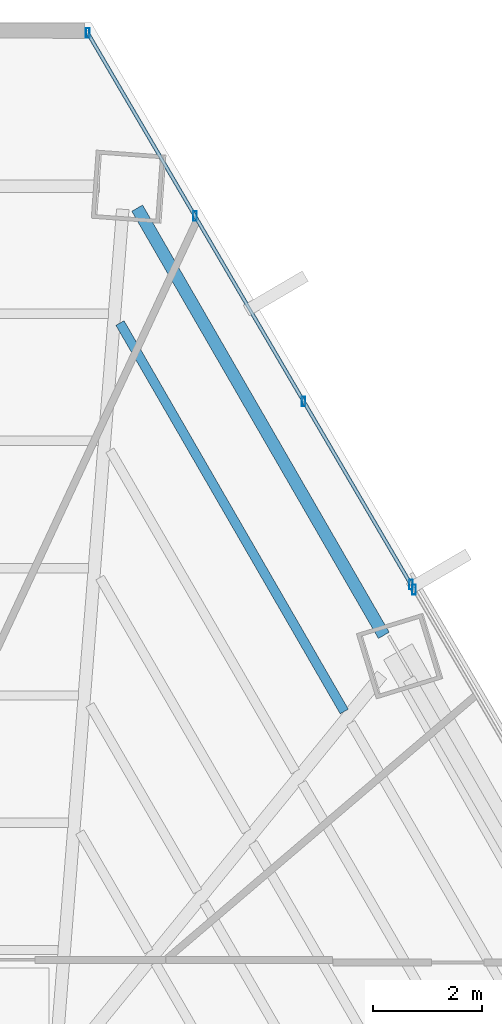
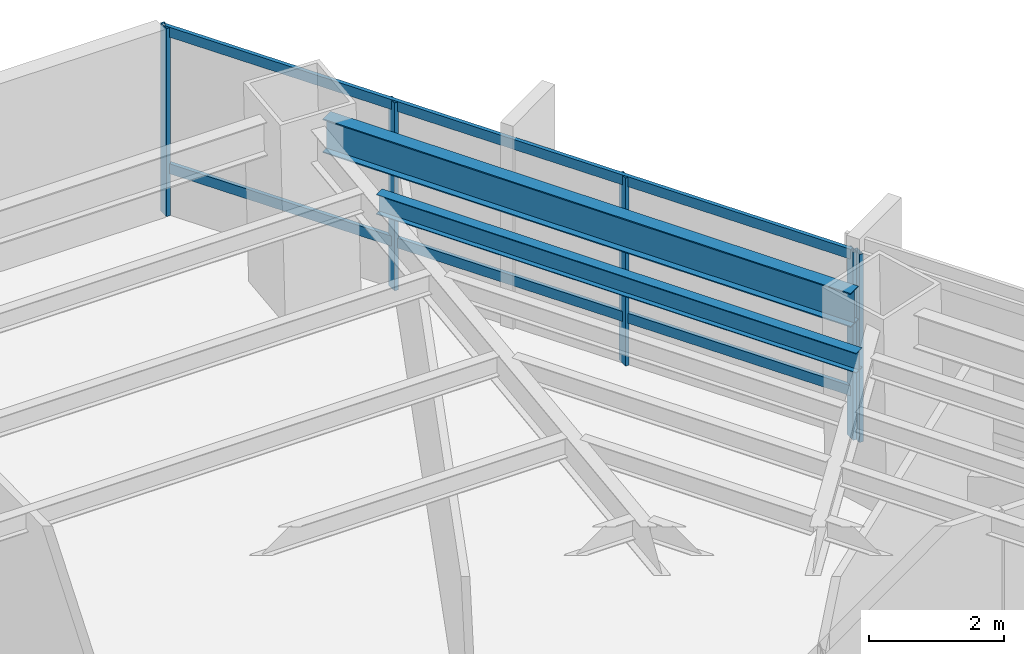
# One storey, part 30 of 37: 7 members, 2 beams, 2 elements without a shape of their own.
"""IFC4 building model written with IfcOpenShell, lengths in metres."""

import ifcopenshell
import ifcopenshell.guid

model = None  # the IFC model being written
_history = None  # IfcOwnerHistory: only IFC2X3 demands one
_inside = {}  # id of a spatial element -> (the spatial element, [elements in it])
_under = {}  # id of a project, library or spatial element -> (it, [spatial elements below it])
_declared = {}  # id of a project -> (the project, [libraries it declares])
_typed = {}  # id of a type object -> (the type object, [elements of that type])
_made_of = {}  # id of a material, layer set ... -> (it, [elements and type objects made of it])


def new_model(schema):
    """Start an empty IFC model of exactly this schema.

    Asked for "IFC4X3", IfcOpenShell would pick the latest addendum, in which some entities
    have other attributes; the version numbers below select the first issue.
    IFC2X3 requires an IfcOwnerHistory on every rooted entity: one is made here for all.
    """
    global model, _history
    if schema == "IFC4X3":
        model = ifcopenshell.file(schema_version=(4, 3, 0, 0))
    else:
        model = ifcopenshell.file(schema=schema)
    _inside.clear()
    _under.clear()
    _declared.clear()
    _typed.clear()
    _made_of.clear()
    _history = None
    if model.schema == "IFC2X3":
        org = make("IfcOrganization", Name="unknown")
        user = make(
            "IfcPersonAndOrganization",
            ThePerson=make("IfcPerson", FamilyName="unknown"),
            TheOrganization=org,
        )
        app = make(
            "IfcApplication",
            ApplicationDeveloper=org,
            Version="unknown",
            ApplicationFullName="unknown",
            ApplicationIdentifier="unknown",
        )
        _history = make(
            "IfcOwnerHistory",
            OwningUser=user,
            OwningApplication=app,
            ChangeAction="ADDED",
            CreationDate=0,
        )
    return model


def make(cls, **values):
    """One entity of the class cls with the attributes given. An attribute that is None is left unset."""
    return model.create_entity(
        cls, **{name: value for name, value in values.items() if value is not None}
    )


def rooted(cls, **values):
    """An entity with a GlobalId (a new one), such as an element, a storey or a relation."""
    return make(cls, GlobalId=ifcopenshell.guid.new(), OwnerHistory=_history, **values)


def si_unit(unit_type, name, prefix=None):
    """IfcSIUnit, for example si_unit("LENGTHUNIT", "METRE", prefix="MILLI")."""
    return make("IfcSIUnit", UnitType=unit_type, Prefix=prefix, Name=name)


def assignment(units):
    """IfcUnitAssignment: the units of a project."""
    return None if units is None else make("IfcUnitAssignment", Units=units)


def point(xyz):
    """IfcCartesianPoint."""
    return None if xyz is None else make("IfcCartesianPoint", Coordinates=xyz)


def direction(xyz):
    """IfcDirection."""
    return None if xyz is None else make("IfcDirection", DirectionRatios=xyz)


def frame(location, z_axis=None, x_axis=None):
    """IfcAxis2Placement3D, a coordinate frame: its origin and axes. An axis left out is left unset."""
    return make(
        "IfcAxis2Placement3D",
        Location=point(location),
        Axis=direction(z_axis),
        RefDirection=direction(x_axis),
    )


def frame_2d(location, x_axis=None):
    """IfcAxis2Placement2D, a coordinate frame in the plane: its origin and x axis."""
    return make(
        "IfcAxis2Placement2D", Location=point(location), RefDirection=direction(x_axis)
    )


def origin():
    """The frame at (0, 0, 0) with its axes left unset."""
    return frame((0.0, 0.0, 0.0))


def origin_2d():
    """The frame at (0, 0) in the plane with its x axis left unset."""
    return frame_2d((0.0, 0.0))


def place(relative_to, where):
    """IfcLocalPlacement: puts the frame where relative to a parent placement (None: the world)."""
    return make(
        "IfcLocalPlacement", PlacementRelTo=relative_to, RelativePlacement=where
    )


def context(
    kind, dimensions, precision=None, world=None, true_north=None, identifier=None
):
    """IfcGeometricRepresentationContext, for example the 3D "Model" context."""
    return make(
        "IfcGeometricRepresentationContext",
        ContextIdentifier=identifier,
        ContextType=kind,
        CoordinateSpaceDimension=dimensions,
        Precision=precision,
        WorldCoordinateSystem=world,
        TrueNorth=true_north,
    )


def subcontext(parent, identifier, kind, view, scale=None):
    """IfcGeometricRepresentationSubContext, for example "Body" below "Model"."""
    return make(
        "IfcGeometricRepresentationSubContext",
        ContextIdentifier=identifier,
        ContextType=kind,
        ParentContext=parent,
        TargetScale=scale,
        TargetView=view,
    )


def project(units=None, contexts=None):
    """IfcProject with its units and contexts."""
    return rooted(
        "IfcProject",
        Name="project",
        RepresentationContexts=contexts,
        UnitsInContext=assignment(units),
    )


def spatial(cls, under=None, at=None, **own):
    """A site, building, storey or space (cls), placed at a placement, below another one or the project."""
    s = rooted(cls, ObjectPlacement=at, **own)
    if under is not None:
        _under.setdefault(under.id(), (under, []))[1].append(s)
    return s


def profile(cls, at=None, kind="AREA", **sizes):
    """A parametric profile (cls). Its sizes go by their IFC names, for example OverallWidth=200.0."""
    return make(cls, ProfileType=kind, Position=at, **sizes)


def hollow_rectangle(**sizes):
    """IfcRectangleHollowProfileDef."""
    return profile("IfcRectangleHollowProfileDef", **sizes)


def i_section(**sizes):
    """IfcIShapeProfileDef."""
    return profile("IfcIShapeProfileDef", **sizes)


def extrude(swept, where, along, depth):
    """IfcExtrudedAreaSolid: the profile swept, set in the frame where, extruded along a direction by depth."""
    return make(
        "IfcExtrudedAreaSolid",
        SweptArea=swept,
        Position=where,
        ExtrudedDirection=direction(along),
        Depth=depth,
    )


def shape(context_of_items, identifier, shape_type, items):
    """IfcShapeRepresentation: the items that make up one representation, for example the "Body"."""
    return make(
        "IfcShapeRepresentation",
        ContextOfItems=context_of_items,
        RepresentationIdentifier=identifier,
        RepresentationType=shape_type,
        Items=items,
    )


def source(mapping_origin, context_of_items, identifier, shape_type, items):
    """IfcRepresentationMap: a shape defined once, which mapped items show again and again."""
    return make(
        "IfcRepresentationMap",
        MappingOrigin=mapping_origin,
        MappedRepresentation=shape(context_of_items, identifier, shape_type, items),
    )


def transform(
    local_origin,
    x_axis=None,
    y_axis=None,
    z_axis=None,
    scale=None,
    scale2=None,
    scale3=None,
    uniform=True,
):
    """IfcCartesianTransformationOperator3D, or its non-uniform kind. x_axis, y_axis, z_axis: its Axis1, 2, 3."""
    if uniform:
        return make(
            "IfcCartesianTransformationOperator3D",
            Axis1=direction(x_axis),
            Axis2=direction(y_axis),
            LocalOrigin=point(local_origin),
            Scale=scale,
            Axis3=direction(z_axis),
        )
    return make(
        "IfcCartesianTransformationOperator3DnonUniform",
        Axis1=direction(x_axis),
        Axis2=direction(y_axis),
        LocalOrigin=point(local_origin),
        Scale=scale,
        Axis3=direction(z_axis),
        Scale2=scale2,
        Scale3=scale3,
    )


def mapped(mapping_source, mapping_target):
    """IfcMappedItem: shows the shape of a source again, moved by a transform."""
    return make(
        "IfcMappedItem", MappingSource=mapping_source, MappingTarget=mapping_target
    )


def material(Name=None, Category=None):
    """IfcMaterial."""
    return make("IfcMaterial", Name=Name, Category=Category)


def material_profile(
    of_material, cross_section, Name=None, Category=None, Priority=None
):
    """IfcMaterialProfile: a cross section and its material."""
    return make(
        "IfcMaterialProfile",
        Name=Name,
        Material=of_material,
        Profile=cross_section,
        Priority=Priority,
        Category=Category,
    )


def profile_set(profiles, Name=None, composite=None):
    """IfcMaterialProfileSet."""
    return make(
        "IfcMaterialProfileSet",
        Name=Name,
        MaterialProfiles=profiles,
        CompositeProfile=composite,
    )


def made_of(thing, what):
    """Note that an element or type object is made of a material, layer set ...; save() writes the relation."""
    if what is not None:
        _made_of.setdefault(what.id(), (what, []))[1].append(thing)
    return thing


def type_object(cls, material=None, **own):
    """A type object (cls), such as IfcWallType, which elements share."""
    return made_of(rooted(cls, **own), material)


def type_shapes(of_type, sources):
    """Give a type object the sources (RepresentationMaps) that its elements show as mapped items."""
    of_type.RepresentationMaps = sources


def element(
    cls,
    number,
    at=None,
    inside=None,
    cuts=None,
    type_object=None,
    material=None,
    context=None,
    identifier="Body",
    shape_type=None,
    held_by="IfcProductDefinitionShape",
    body=None,
    shapes=None,
    **own,
):
    """One element of the class cls, such as IfcWall. Its Tag is "e" and its number.

    at: its placement. inside: the storey or other place that contains it. cuts: it is an
    opening in that element (IfcRelVoidsElement). A single representation is given by context,
    identifier, shape_type and body (its items); several are given by shapes. held_by: the class
    of the entity that holds the representations. save() writes the other relations.
    """
    e = rooted(cls, Tag="e%d" % number, ObjectPlacement=at, **own)
    if body is not None:
        shapes = [shape(context, identifier, shape_type, body)]
    if shapes is not None:
        e.Representation = make(held_by, Representations=shapes)
    if inside is not None:
        _inside.setdefault(inside.id(), (inside, []))[1].append(e)
    if cuts is not None:
        rooted(
            "IfcRelVoidsElement", RelatingBuildingElement=cuts, RelatedOpeningElement=e
        )
    if type_object is not None:
        _typed.setdefault(type_object.id(), (type_object, []))[1].append(e)
    return made_of(e, material)


def aggregate(whole, parts):
    """IfcRelAggregates: a whole, such as a stair, and the parts it consists of."""
    return rooted("IfcRelAggregates", RelatingObject=whole, RelatedObjects=parts)


def save(model, path):
    """Write the relations noted so far, then the file.

    IfcRelAggregates (storeys below a building ...), IfcRelContainedInSpatialStructure (elements
    in a storey), IfcRelDefinesByType, IfcRelAssociatesMaterial and IfcRelDeclares: one each for
    every whole, place, type object, material and project.
    """
    for whole, parts in _under.values():
        aggregate(whole, parts)
    for where, things in _inside.values():
        rooted(
            "IfcRelContainedInSpatialStructure",
            RelatedElements=things,
            RelatingStructure=where,
        )
    for kind, things in _typed.values():
        rooted("IfcRelDefinesByType", RelatedObjects=things, RelatingType=kind)
    for what, things in _made_of.values():
        rooted("IfcRelAssociatesMaterial", RelatedObjects=things, RelatingMaterial=what)
    for by, libraries in _declared.values():
        rooted("IfcRelDeclares", RelatingContext=by, RelatedDefinitions=libraries)
    model.write(path)


model = new_model("IFC4")

# Units and contexts
model_context = context("Model", 3, precision=1e-05, world=origin(), true_north=direction((0.0, 1.0)))
body_context = subcontext(model_context, "Body", "Model", "MODEL_VIEW")
ifc_project = project(units=[si_unit("LENGTHUNIT", "METRE"), si_unit("AREAUNIT", "SQUARE_METRE"), si_unit("VOLUMEUNIT", "CUBIC_METRE"), si_unit("PLANEANGLEUNIT", "RADIAN"), si_unit("MASSUNIT", "GRAM", prefix="KILO")], contexts=[model_context])

# Site, building, storey
site_placement = place(None, origin())
site = spatial("IfcSite", under=ifc_project, at=site_placement, CompositionType="ELEMENT")
building_placement = place(site_placement, origin())
building = spatial("IfcBuilding", under=site, at=building_placement, Name="Caelisora Broadcast Tower", CompositionType="ELEMENT")
storey_placement = place(building_placement, frame((0.0, 0.0, 45.85009765625)))
storey = spatial("IfcBuildingStorey", under=building, at=storey_placement, Name="L11", CompositionType="ELEMENT", Elevation=45.85009765625)

# Beams
ifc_material_1 = material(Name="Steel Grade 350 (AS/NZS 3679.1)", Category="steel")
ifc_material_profile_1 = material_profile(ifc_material_1, i_section(OverallWidth=0.22900390625, OverallDepth=0.611572265625, WebThickness=0.011962890625, FlangeThickness=0.01953125, at=origin_2d()), Name="Steel Grade 350 (AS/NZS 3679.1)")
ifc_profile_set_1 = profile_set([ifc_material_profile_1], Name="Steel Grade 350 (AS/NZS 3679.1)")
beam_type_1 = type_object("IfcBeamType", Name="PG03", PredefinedType="BEAM", material=ifc_profile_set_1)
shared_shape_1 = source(origin(), body_context, "Body", "SweptSolid", [
    extrude(i_section(OverallWidth=0.22900390625, OverallDepth=0.611572265625, WebThickness=0.011962890625, FlangeThickness=0.01953125, at=origin_2d()), origin(), (0.0, 0.0, 1.0), 9.03125),
])
type_shapes(beam_type_1, [shared_shape_1])
beam_1_placement = place(storey_placement, frame((51.5341796875, 38.0908203125, 3.093994140625), z_axis=(-0.500020411631, 0.866013618803, 0.0), x_axis=(-0.866013618803, -0.500020411631, 0.0)))
element("IfcBeam", 1, at=beam_1_placement, inside=storey, type_object=beam_type_1, Name="L11 beam PG03", PredefinedType="BEAM", context=body_context, shape_type="MappedRepresentation", body=[
    mapped(shared_shape_1, transform((0.0, 0.0, 0.0), scale=1.0)),
])
ifc_material_profile_2 = material_profile(ifc_material_1, i_section(OverallWidth=0.172119140625, OverallDepth=0.358642578125, WebThickness=0.008056640625, FlangeThickness=0.012939453125, at=origin_2d()), Name="Steel Grade 350 (AS/NZS 3679.1)")
ifc_profile_set_2 = profile_set([ifc_material_profile_2], Name="Steel Grade 350 (AS/NZS 3679.1)")
beam_type_2 = type_object("IfcBeamType", Name="SB02", PredefinedType="JOIST", material=ifc_profile_set_2)
shared_shape_2 = source(origin(), body_context, "Body", "SweptSolid", [
    extrude(i_section(OverallWidth=0.172119140625, OverallDepth=0.358642578125, WebThickness=0.008056640625, FlangeThickness=0.012939453125, at=origin_2d()), origin(), (0.0, 0.0, 1.0), 8.212646484375),
])
type_shapes(beam_type_2, [shared_shape_2])
beam_2_placement = place(storey_placement, frame((50.809814453125, 36.696533203125, 3.220703125), z_axis=(-0.500014089762, 0.866017268904, 0.0), x_axis=(-0.866017268904, -0.500014089762, 0.0)))
element("IfcBeam", 2, at=beam_2_placement, inside=storey, type_object=beam_type_2, Name="L11 beam SB02", PredefinedType="JOIST", context=body_context, shape_type="MappedRepresentation", body=[
    mapped(shared_shape_2, transform((0.0, 0.0, 0.0), scale=1.0)),
])

# Curtain wall, members
ifc_material_2 = material(Name="Unitised Aluminium and Low-E Glass Curtain Wall", Category="glass")
curtain_wall_type_1 = type_object("IfcCurtainWallType", Name="CW-Z1", PredefinedType="NOTDEFINED", material=ifc_material_2)
curtain_wall_1_placement = place(storey_placement, origin())
curtain_wall_1 = element("IfcCurtainWall", 3, at=curtain_wall_1_placement, inside=storey, type_object=curtain_wall_type_1, Name="L11 curtain wall CW-Z1", PredefinedType="NOTDEFINED")
ifc_material_3 = material(Name="Aluminium 6063-T6 Anodised Terracotta Bronze", Category="aluminium")
ifc_material_profile_3 = material_profile(ifc_material_3, hollow_rectangle(XDim=0.06494140625, YDim=0.179931640625, WallThickness=0.00341796875, at=origin_2d()), Name="Aluminium 6063-T6 Anodised Terracotta Bronze")
ifc_profile_set_3 = profile_set([ifc_material_profile_3], Name="Aluminium 6063-T6 Anodised Terracotta Bronze")
member_type_1 = type_object("IfcMemberType", Name="CWM-02", PredefinedType="MULLION", material=ifc_profile_set_3)
shared_shape_3 = source(origin(), body_context, "Body", "SweptSolid", [
    extrude(hollow_rectangle(XDim=0.06494140625, YDim=0.179931640625, WallThickness=0.00341796875, at=origin_2d()), origin(), (0.0, 0.0, 1.0), 3.39990234375),
])
type_shapes(member_type_1, [shared_shape_3])
member_1_placement = place(storey_placement, frame((46.11328125, 49.117919921875, 0.0), z_axis=(0.0, 0.0, 1.0), x_axis=(1.0, 0.0, 0.0)))
member_1 = element("IfcMember", 4, at=member_1_placement, type_object=member_type_1, Name="L11-CW-B01 mullion #0", PredefinedType="MULLION", context=body_context, shape_type="MappedRepresentation", body=[
    mapped(shared_shape_3, transform((0.0, 0.0, 0.0), scale=1.0)),
])
member_2_placement = place(storey_placement, frame((48.077392578125, 45.767333984375, 0.0), z_axis=(0.0, 0.0, 1.0), x_axis=(1.0, 0.0, 0.0)))
member_2 = element("IfcMember", 5, at=member_2_placement, type_object=member_type_1, Name="L11-CW-B01 mullion #1", PredefinedType="MULLION", context=body_context, shape_type="MappedRepresentation", body=[
    mapped(shared_shape_3, transform((0.0, 0.0, 0.0), scale=1.0)),
])
member_3_placement = place(storey_placement, frame((50.06689453125, 42.37353515625, 0.0), z_axis=(0.0, 0.0, 1.0), x_axis=(1.0, 0.0, 0.0)))
member_3 = element("IfcMember", 6, at=member_3_placement, type_object=member_type_1, Name="L11-CW-B01 mullion #2", PredefinedType="MULLION", context=body_context, shape_type="MappedRepresentation", body=[
    mapped(shared_shape_3, transform((0.0, 0.0, 0.0), scale=1.0)),
])
member_4_placement = place(storey_placement, frame((52.031005859375, 39.023193359375, 0.0), z_axis=(0.0, 0.0, 1.0), x_axis=(1.0, 0.0, 0.0)))
member_4 = element("IfcMember", 7, at=member_4_placement, type_object=member_type_1, Name="L11-CW-B01 mullion #3", PredefinedType="MULLION", context=body_context, shape_type="MappedRepresentation", body=[
    mapped(shared_shape_3, transform((0.0, 0.0, 0.0), scale=1.0)),
])

# Curtain wall, member
ifc_material_4 = material(Name="Unitised Aluminium Insulated Shadow-Box Spandrel Curtain Wall", Category="aluminium")
curtain_wall_type_2 = type_object("IfcCurtainWallType", Name="CW-SP1", PredefinedType="NOTDEFINED", material=ifc_material_4)
curtain_wall_2_placement = place(storey_placement, origin())
curtain_wall_2 = element("IfcCurtainWall", 8, at=curtain_wall_2_placement, inside=storey, type_object=curtain_wall_type_2, Name="L11 curtain wall CW-SP1", PredefinedType="NOTDEFINED")
member_5_placement = place(storey_placement, frame((52.086669921875, 38.92822265625, 0.0), z_axis=(0.0, 0.0, 1.0), x_axis=(1.0, 0.0, 0.0)))
member_5 = element("IfcMember", 9, at=member_5_placement, type_object=member_type_1, Name="L11-CW-B02 mullion #0", PredefinedType="MULLION", context=body_context, shape_type="MappedRepresentation", body=[
    mapped(shared_shape_3, transform((0.0, 0.0, 0.0), scale=1.0)),
])
aggregate(curtain_wall_2, [member_5])

# Member
ifc_material_profile_4 = material_profile(ifc_material_3, hollow_rectangle(XDim=0.06494140625, YDim=0.179931640625, WallThickness=0.00341796875, at=origin_2d()), Name="Aluminium 6063-T6 Anodised Terracotta Bronze")
ifc_profile_set_4 = profile_set([ifc_material_profile_4], Name="Aluminium 6063-T6 Anodised Terracotta Bronze")
member_type_2 = type_object("IfcMemberType", Name="CWT-01", PredefinedType="USERDEFINED", material=ifc_profile_set_4)
shared_shape_4 = source(origin(), body_context, "Body", "SweptSolid", [
    extrude(hollow_rectangle(XDim=0.06494140625, YDim=0.179931640625, WallThickness=0.00341796875, at=origin_2d()), origin(), (0.0, 0.0, 1.0), 11.701416015625),
])
type_shapes(member_type_2, [shared_shape_4])
member_6_placement = place(storey_placement, frame((46.11328125, 49.117919921875, 0.849853515625), z_axis=(0.505727531487, -0.862693261766, 0.0), x_axis=(0.862693261766, 0.505727531487, 0.0)))
member_6 = element("IfcMember", 10, at=member_6_placement, type_object=member_type_2, Name="L11-CW-B01 transom #1", ObjectType="TRANSOM", PredefinedType="USERDEFINED", context=body_context, shape_type="MappedRepresentation", body=[
    mapped(shared_shape_4, transform((0.0, 0.0, 0.0), scale=1.0)),
])

member_7_placement = place(storey_placement, frame((46.11328125, 49.117919921875, 3.31982421875), z_axis=(0.505727531487, -0.862693261766, 0.0), x_axis=(0.862693261766, 0.505727531487, 0.0)))
member_7 = element("IfcMember", 11, at=member_7_placement, type_object=member_type_2, Name="L11-CW-B01 transom #2", ObjectType="TRANSOM", PredefinedType="USERDEFINED", context=body_context, shape_type="MappedRepresentation", body=[
    mapped(shared_shape_4, transform((0.0, 0.0, 0.0), scale=1.0)),
])

aggregate(curtain_wall_1, [member_1, member_2, member_3, member_4, member_6, member_7])

save(model, "model.ifc")
